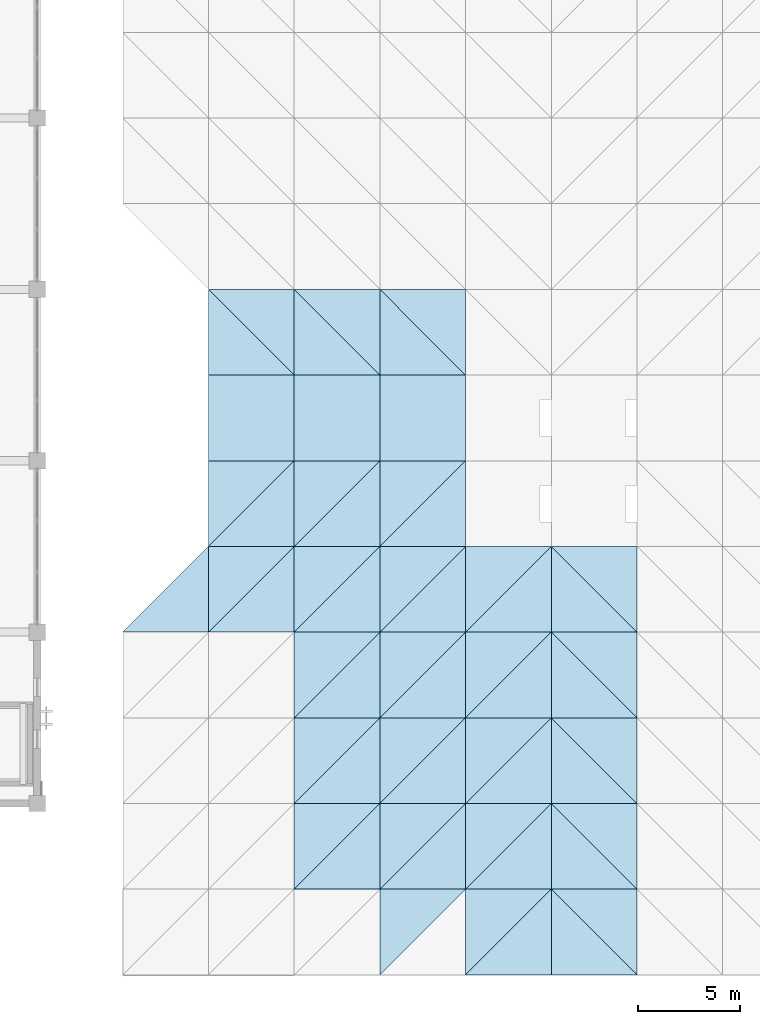
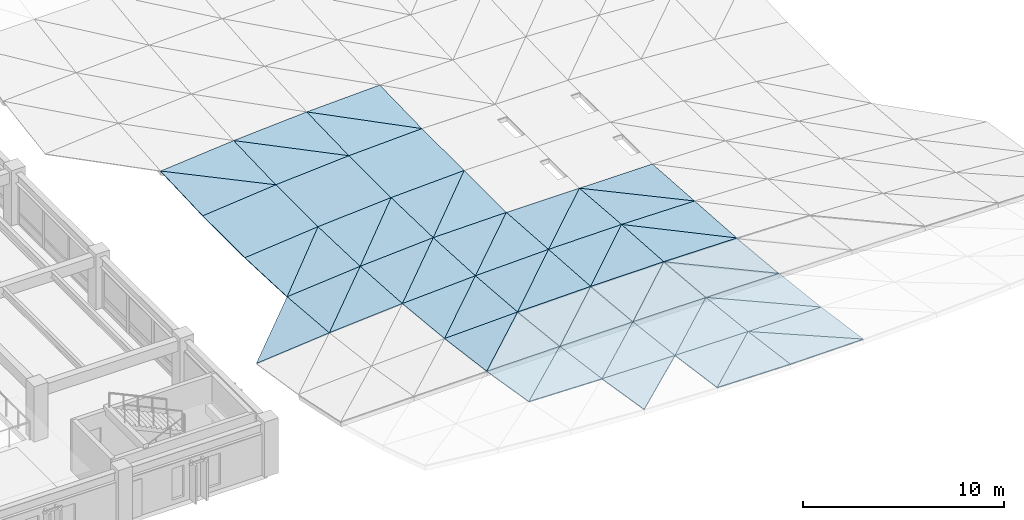
# One storey, part 98 of 123: 55 roofs.
"""IFC4 building model written with IfcOpenShell, lengths in metres."""

from ifc_helpers import new_model, si_unit, direction, frame, origin, place, context, subcontext, project, spatial, polyline, outline, extrude, material, layer, layer_set, type_object, element, save


model = new_model("IFC4")

# Units and contexts
model_context = context("Model", 3, precision=1e-05, world=origin(), true_north=direction((0.0, 1.0)))
body_context = subcontext(model_context, "Body", "Model", "MODEL_VIEW")
ifc_project = project(units=[si_unit("LENGTHUNIT", "METRE"), si_unit("AREAUNIT", "SQUARE_METRE"), si_unit("VOLUMEUNIT", "CUBIC_METRE"), si_unit("PLANEANGLEUNIT", "RADIAN"), si_unit("MASSUNIT", "GRAM", prefix="KILO")], contexts=[model_context])

# Site, building, storey
site_placement = place(None, origin())
site = spatial("IfcSite", under=ifc_project, at=site_placement, CompositionType="ELEMENT")
building_placement = place(site_placement, origin())
building = spatial("IfcBuilding", under=site, at=building_placement, Name="Cumbredor Promenade Congress Hotel", CompositionType="ELEMENT")
storey_placement = place(building_placement, frame((0.0, 0.0, 11.760009765625)))
storey = spatial("IfcBuildingStorey", under=building, at=storey_placement, Name="L03", CompositionType="ELEMENT", Elevation=11.760009765625)

# Roofs
ifc_material = material(Name="Standing-seam zinc-aluminium roofing", Category="aluminium")
ifc_layer = layer(ifc_material, 0.050048828125, Name="Standing-seam zinc-aluminium roofing", Category="aluminium")
ifc_layer_set = layer_set([ifc_layer], Name="Standing-seam zinc-aluminium roofing")
roof_type = type_object("IfcRoofType", Name="Sweeping Pavilion Standing-Seam Roof Skin 50mm", PredefinedType="FREEFORM", material=ifc_layer_set)
roof_1_placement = place(storey_placement, frame((71.39990234375, 16.800048828125, -0.0146484375), z_axis=(-0.093594366401, 0.083392064634, 0.992111817354), x_axis=(0.995579604811, 0.0, 0.093921512358)))
element("IfcRoof", 1, at=roof_1_placement, inside=storey, type_object=roof_type, Name="Thermal Spa and Hydrotherapy Pavilion Standing-Seam Roof Skin 1.5.1", PredefinedType="FREEFORM", context=body_context, shape_type="SweptSolid", body=[
    extrude(outline(polyline([(0.0, 0.0), (4.218844271418955, 0.0), (4.18568740939019, 4.214631511065917), (0.0, 0.0)])), origin(), (0.0, 0.0, -1.0), 0.050048828125),
])
roof_2_placement = place(storey_placement, frame((75.60009765625, 16.800048828125, 0.381591796875), z_axis=(-0.072999794171, 0.066694740633, 0.995099412935), x_axis=(0.997320018789, 0.0, 0.073162696257)))
element("IfcRoof", 2, at=roof_2_placement, inside=storey, type_object=roof_type, Name="Thermal Spa and Hydrotherapy Pavilion Standing-Seam Roof Skin 2.5.1", PredefinedType="FREEFORM", context=body_context, shape_type="SweptSolid", body=[
    extrude(outline(polyline([(0.0, 0.0), (4.211237208470671, 0.0), (4.1906423381619655, 4.209323538130249), (0.0, 0.0)])), origin(), (0.0, 0.0, -1.0), 0.050048828125),
])
roof_3_placement = place(storey_placement, frame((75.60009765625, 16.800048828125, 0.381591796875), z_axis=(-0.089710388059, 0.08342200716, 0.992468042304), x_axis=(0.707099684378, 0.707099684378, 0.004480257257)))
element("IfcRoof", 3, at=roof_3_placement, inside=storey, type_object=roof_type, Name="Thermal Spa and Hydrotherapy Pavilion Standing-Seam Roof Skin 2.5.2", PredefinedType="FREEFORM", context=body_context, shape_type="SweptSolid", body=[
    extrude(outline(polyline([(0.0, 0.0), (5.939687521667529, -1.739060284666749e-16), (2.9682024947169268, 2.992322192198825), (0.0, 0.0)])), origin(), (0.0, 0.0, -1.0), 0.050048828125),
])
roof_4_placement = place(storey_placement, frame((75.60009765625, 21.0, 0.028564453125), z_axis=(-0.089974173033, 0.033328053805, 0.995386301401), x_axis=(0.995939579594, 0.0, 0.090024184518)))
element("IfcRoof", 4, at=roof_4_placement, inside=storey, type_object=roof_type, Name="Thermal Spa and Hydrotherapy Pavilion Standing-Seam Roof Skin 2.6.1", PredefinedType="FREEFORM", context=body_context, shape_type="SweptSolid", body=[
    extrude(outline(polyline([(0.0, 0.0), (4.21707426627955, 1.734723475976807e-18), (4.204414615331661, 4.202285684005439), (0.0, 0.0)])), origin(), (0.0, 0.0, -1.0), 0.050048828125),
])
roof_5_placement = place(storey_placement, frame((75.60009765625, 21.0, 0.028564453125), z_axis=(-0.098369549328, 0.041786829709, 0.994272242712), x_axis=(0.706534966945, 0.706534966945, 0.040207971438)))
element("IfcRoof", 5, at=roof_5_placement, inside=storey, type_object=roof_type, Name="Thermal Spa and Hydrotherapy Pavilion Standing-Seam Roof Skin 2.6.2", PredefinedType="FREEFORM", context=body_context, shape_type="SweptSolid", body=[
    extrude(outline(polyline([(0.0, 0.0), (5.9444349796773395, -5.204170427930421e-16), (2.960315105715628, 2.984506893502652), (0.0, 0.0)])), origin(), (0.0, 0.0, -1.0), 0.050048828125),
])
roof_6_placement = place(storey_placement, frame((75.60009765625, 25.199951171875, -0.14794921875), z_axis=(-0.098455545426, 0.0, 0.995141450034), x_axis=(0.995141450034, 0.0, 0.098455545426)))
element("IfcRoof", 6, at=roof_6_placement, inside=storey, type_object=roof_type, Name="Thermal Spa and Hydrotherapy Pavilion Standing-Seam Roof Skin 2.7", PredefinedType="FREEFORM", context=body_context, shape_type="SweptSolid", body=[
    extrude(outline(polyline([(0.0, 0.0), (4.220456470518103, 0.0), (4.220456470518103, 4.199951171875), (0.0, 4.199951171875), (0.0, 0.0)])), origin(), (0.0, 0.0, -1.0), 0.050048828125),
])
roof_7_placement = place(storey_placement, frame((75.60009765625, 29.39990234375, -0.14794921875), z_axis=(-0.098369559312, -0.041784405048, 0.994272343624), x_axis=(0.995141450034, 0.0, 0.098455545426)))
element("IfcRoof", 7, at=roof_7_placement, inside=storey, type_object=roof_type, Name="Thermal Spa and Hydrotherapy Pavilion Standing-Seam Roof Skin 2.8.1", PredefinedType="FREEFORM", context=body_context, shape_type="SweptSolid", body=[
    extrude(outline(polyline([(0.0, 0.0), (4.220456470518103, 0.0), (0.01737874983953427, 4.203866757945569), (0.0, 0.0)])), origin(), (0.0, 0.0, -1.0), 0.050048828125),
])
roof_8_placement = place(storey_placement, frame((79.800048828125, 29.39990234375, 0.267578125), z_axis=(-0.089974178841, -0.03332611873, 0.995386365665), x_axis=(0.0, 0.999439995942, 0.033461836646)))
element("IfcRoof", 8, at=roof_8_placement, inside=storey, type_object=roof_type, Name="Thermal Spa and Hydrotherapy Pavilion Standing-Seam Roof Skin 2.8.2", PredefinedType="FREEFORM", context=body_context, shape_type="SweptSolid", body=[
    extrude(outline(polyline([(0.0, 0.0), (4.202548756858387, -1.734723475976807e-18), (4.189845349635497, 4.217055132525793), (0.0, 0.0)])), origin(), (0.0, 0.0, -1.0), 0.050048828125),
])
roof_9_placement = place(storey_placement, frame((79.800048828125, 4.199951171875, 2.3779296875), z_axis=(0.020440500208, 0.135770984479, 0.990529366412), x_axis=(0.99978714706, 0.0, -0.020631543173)))
element("IfcRoof", 9, at=roof_9_placement, inside=storey, type_object=roof_type, Name="Thermal Spa and Hydrotherapy Pavilion Standing-Seam Roof Skin 3.2.1", PredefinedType="FREEFORM", context=body_context, shape_type="SweptSolid", body=[
    extrude(outline(polyline([(0.0, 0.0), (4.20084533415502, -1.734723475976807e-18), (4.2127225750735, 4.239205158681903), (0.0, 0.0)])), origin(), (0.0, 0.0, -1.0), 0.050048828125),
])
roof_10_placement = place(storey_placement, frame((79.800048828125, 4.199951171875, 2.3779296875), z_axis=(-0.009688390753, 0.165218592604, 0.986209385345), x_axis=(0.702750773455, 0.702750773455, -0.11082734688)))
element("IfcRoof", 10, at=roof_10_placement, inside=storey, type_object=roof_type, Name="Thermal Spa and Hydrotherapy Pavilion Standing-Seam Roof Skin 3.2.2", PredefinedType="FREEFORM", context=body_context, shape_type="SweptSolid", body=[
    extrude(outline(polyline([(0.0, 0.0), (5.976444751851152, -3.469446951953614e-16), (3.0294985276995168, 2.9927913669937034), (0.0, 0.0)])), origin(), (0.0, 0.0, -1.0), 0.050048828125),
])
roof_11_placement = place(storey_placement, frame((79.800048828125, 8.39990234375, 1.67431640625), z_axis=(-0.009764898552, 0.108967622398, 0.993997336025), x_axis=(0.999951749302, 0.0, 0.009823393922)))
element("IfcRoof", 11, at=roof_11_placement, inside=storey, type_object=roof_type, Name="Thermal Spa and Hydrotherapy Pavilion Standing-Seam Roof Skin 3.3.1", PredefinedType="FREEFORM", context=body_context, shape_type="SweptSolid", body=[
    extrude(outline(polyline([(0.0, 0.0), (4.200153832229674, 0.0), (4.195630658173034, 4.225356042641958), (0.0, 0.0)])), origin(), (0.0, 0.0, -1.0), 0.050048828125),
])
roof_12_placement = place(storey_placement, frame((79.800048828125, 8.39990234375, 1.67431640625), z_axis=(-0.03385795146, 0.132717758183, 0.990575406411), x_axis=(0.705331942102, 0.705372942622, -0.070397892495)))
element("IfcRoof", 12, at=roof_12_placement, inside=storey, type_object=roof_type, Name="Thermal Spa and Hydrotherapy Pavilion Standing-Seam Roof Skin 3.3.2", PredefinedType="FREEFORM", context=body_context, shape_type="SweptSolid", body=[
    extrude(outline(polyline([(0.0, 0.0), (5.954573898012552, 6.938893903907228e-18), (3.0023201286781953, 2.9907182207437217), (0.0, 0.0)])), origin(), (0.0, 0.0, -1.0), 0.050048828125),
])
roof_13_placement = place(storey_placement, frame((79.800048828125, 12.60009765625, 1.111572265625), z_axis=(-0.034045457996, 0.08187122042, 0.996061248145), x_axis=(0.999416372229, 0.0, 0.034160136422)))
element("IfcRoof", 13, at=roof_13_placement, inside=storey, type_object=roof_type, Name="Thermal Spa and Hydrotherapy Pavilion Standing-Seam Roof Skin 3.4.1", PredefinedType="FREEFORM", context=body_context, shape_type="SweptSolid", body=[
    extrude(outline(polyline([(0.0, 0.0), (4.202403811443803, 0.0), (4.190611225286342, 4.214098251036779), (0.0, 0.0)])), origin(), (0.0, 0.0, -1.0), 0.050048828125),
])
roof_14_placement = place(storey_placement, frame((79.800048828125, 12.60009765625, 1.111572265625), z_axis=(-0.052099332578, 0.099808920947, 0.993641705468), x_axis=(0.7066995871, 0.7066995871, -0.033932096666)))
element("IfcRoof", 14, at=roof_14_placement, inside=storey, type_object=roof_type, Name="Thermal Spa and Hydrotherapy Pavilion Standing-Seam Roof Skin 3.4.2", PredefinedType="FREEFORM", context=body_context, shape_type="SweptSolid", body=[
    extrude(outline(polyline([(0.0, 0.0), (5.943050269927653, 2.0816681711721685e-17), (2.982418862287013, 2.987096598979321), (0.0, 0.0)])), origin(), (0.0, 0.0, -1.0), 0.050048828125),
])
roof_15_placement = place(storey_placement, frame((79.800048828125, 16.800048828125, 0.689697265625), z_axis=(-0.052282348828, 0.054716781922, 0.997132202758), x_axis=(0.998628232976, 0.0, 0.052360789754)))
element("IfcRoof", 15, at=roof_15_placement, inside=storey, type_object=roof_type, Name="Thermal Spa and Hydrotherapy Pavilion Standing-Seam Roof Skin 3.5.1", PredefinedType="FREEFORM", context=body_context, shape_type="SweptSolid", body=[
    extrude(outline(polyline([(0.0, 0.0), (4.2057204404884105, -1.734723475976807e-18), (4.193652914724711, 4.206252496662877), (0.0, 0.0)])), origin(), (0.0, 0.0, -1.0), 0.050048828125),
])
roof_16_placement = place(storey_placement, frame((79.800048828125, 16.800048828125, 0.689697265625), z_axis=(-0.064303830401, 0.066734758283, 0.995696484594), x_axis=(0.707105727493, 0.707105727493, -0.001726352413)))
element("IfcRoof", 16, at=roof_16_placement, inside=storey, type_object=roof_type, Name="Thermal Spa and Hydrotherapy Pavilion Standing-Seam Roof Skin 3.5.2", PredefinedType="FREEFORM", context=body_context, shape_type="SweptSolid", body=[
    extrude(outline(polyline([(0.0, 0.0), (5.93963675950489, 1.8604909279851256e-16), (2.9702954869133613, 2.9826453892077933), (0.0, 0.0)])), origin(), (0.0, 0.0, -1.0), 0.050048828125),
])
roof_17_placement = place(storey_placement, frame((79.800048828125, 21.0, 0.408203125), z_axis=(-0.064423458559, 0.027311835267, 0.99754883672), x_axis=(0.997921098963, 0.0, 0.06444749991)))
element("IfcRoof", 17, at=roof_17_placement, inside=storey, type_object=roof_type, Name="Thermal Spa and Hydrotherapy Pavilion Standing-Seam Roof Skin 3.6.1", PredefinedType="FREEFORM", context=body_context, shape_type="SweptSolid", body=[
    extrude(outline(polyline([(0.0, 0.0), (4.208700644008552, -8.673617379884035e-19), (4.201289810889044, 4.201518496887556), (0.0, 0.0)])), origin(), (0.0, 0.0, -1.0), 0.050048828125),
])
roof_18_placement = place(storey_placement, frame((79.800048828125, 21.0, 0.408203125), z_axis=(-0.07047012381, 0.033380584963, 0.996955213737), x_axis=(0.706862240434, 0.706862240434, 0.026297264075)))
element("IfcRoof", 18, at=roof_18_placement, inside=storey, type_object=roof_type, Name="Thermal Spa and Hydrotherapy Pavilion Standing-Seam Roof Skin 3.6.2", PredefinedType="FREEFORM", context=body_context, shape_type="SweptSolid", body=[
    extrude(outline(polyline([(0.0, 0.0), (5.941682737639932, 5.741934705483231e-16), (2.9650888423036186, 2.9778538234785423), (0.0, 0.0)])), origin(), (0.0, 0.0, -1.0), 0.050048828125),
])
roof_19_placement = place(storey_placement, frame((79.800048828125, 25.199951171875, 0.267578125), z_axis=(-0.070509417793, 0.0, 0.997511113724), x_axis=(0.997511113724, 0.0, 0.070509417793)))
element("IfcRoof", 19, at=roof_19_placement, inside=storey, type_object=roof_type, Name="Thermal Spa and Hydrotherapy Pavilion Standing-Seam Roof Skin 3.7", PredefinedType="FREEFORM", context=body_context, shape_type="SweptSolid", body=[
    extrude(outline(polyline([(0.0, 0.0), (4.2104304544499, 0.0), (4.2104304544499, 4.199951171875001), (0.0, 4.199951171875001), (0.0, 0.0)])), origin(), (0.0, 0.0, -1.0), 0.050048828125),
])
roof_20_placement = place(storey_placement, frame((79.800048828125, 29.39990234375, 0.267578125), z_axis=(-0.070470128374, -0.033378646844, 0.996955278306), x_axis=(0.997511113724, 0.0, 0.070509417793)))
element("IfcRoof", 20, at=roof_20_placement, inside=storey, type_object=roof_type, Name="Thermal Spa and Hydrotherapy Pavilion Standing-Seam Roof Skin 3.8.1", PredefinedType="FREEFORM", context=body_context, shape_type="SweptSolid", body=[
    extrude(outline(polyline([(0.0, 0.0), (4.2104304544499, 1.734723475976807e-18), (0.009915386877101254, 4.202537059786035), (0.0, 0.0)])), origin(), (0.0, 0.0, -1.0), 0.050048828125),
])
roof_21_placement = place(storey_placement, frame((84.0, 29.39990234375, 0.564453125), z_axis=(-0.064423461353, -0.027310248923, 0.997548879971), x_axis=(0.0, 0.999625450777, 0.027367099937)))
element("IfcRoof", 21, at=roof_21_placement, inside=storey, type_object=roof_type, Name="Thermal Spa and Hydrotherapy Pavilion Standing-Seam Roof Skin 3.8.2", PredefinedType="FREEFORM", context=body_context, shape_type="SweptSolid", body=[
    extrude(outline(polyline([(0.0, 0.0), (4.201769081845002, 0.0), (4.19434602324393, 4.2086940978264265), (0.0, 0.0)])), origin(), (0.0, 0.0, -1.0), 0.050048828125),
])
roof_22_placement = place(storey_placement, frame((84.0, 0.0, 2.98193359375), z_axis=(0.012216552211, 0.162256461051, 0.986672993802), x_axis=(0.701643183062, 0.701643183062, -0.124071299359)))
element("IfcRoof", 22, at=roof_22_placement, inside=storey, type_object=roof_type, Name="Thermal Spa and Hydrotherapy Pavilion Standing-Seam Roof Skin 4.1.2", PredefinedType="FREEFORM", context=body_context, shape_type="SweptSolid", body=[
    extrude(outline(polyline([(0.0, 0.0), (5.985878967062704, -3.0531133177191805e-16), (3.0325599082290453, 2.986670485003806), (0.0, 0.0)])), origin(), (0.0, 0.0, -1.0), 0.050048828125),
])
roof_23_placement = place(storey_placement, frame((84.0, 4.199951171875, 2.291259765625), z_axis=(0.012294149294, 0.117977658011, 0.992940142256), x_axis=(0.999923357281, 0.0, -0.012380612399)))
element("IfcRoof", 23, at=roof_23_placement, inside=storey, type_object=roof_type, Name="Thermal Spa and Hydrotherapy Pavilion Standing-Seam Roof Skin 4.2.1", PredefinedType="FREEFORM", context=body_context, shape_type="SweptSolid", body=[
    extrude(outline(polyline([(0.0, 0.0), (4.200273092224242, 0.0), (4.206451307981973, 4.229488865922046), (0.0, 0.0)])), origin(), (0.0, 0.0, -1.0), 0.050048828125),
])
roof_24_placement = place(storey_placement, frame((84.0, 4.199951171875, 2.291259765625), z_axis=(-0.005816583131, 0.135797059638, 0.990719600066), x_axis=(0.704083438031, 0.704083438031, -0.092374371891)))
element("IfcRoof", 24, at=roof_24_placement, inside=storey, type_object=roof_type, Name="Thermal Spa and Hydrotherapy Pavilion Standing-Seam Roof Skin 4.2.2", PredefinedType="FREEFORM", context=body_context, shape_type="SweptSolid", body=[
    extrude(outline(polyline([(0.0, 0.0), (5.965132745663068, -2.0122792321330962e-16), (3.0102944710345514, 2.984816350113674), (0.0, 0.0)])), origin(), (0.0, 0.0, -1.0), 0.050048828125),
])
roof_25_placement = place(storey_placement, frame((84.0, 8.39990234375, 1.715576171875), z_axis=(-0.005844666112, 0.094550785274, 0.995502882408), x_axis=(0.99998276572, 0.0, 0.005870967816)))
element("IfcRoof", 25, at=roof_25_placement, inside=storey, type_object=roof_type, Name="Thermal Spa and Hydrotherapy Pavilion Standing-Seam Roof Skin 4.3.1", PredefinedType="FREEFORM", context=body_context, shape_type="SweptSolid", body=[
    extrude(outline(polyline([(0.0, 0.0), (4.20002355625722, 0.0), (4.19768147583455, 4.219096699146891), (0.0, 0.0)])), origin(), (0.0, 0.0, -1.0), 0.050048828125),
])
roof_26_placement = place(storey_placement, frame((84.0, 8.39990234375, 1.715576171875), z_axis=(-0.020393234648, 0.108950155595, 0.993838004695), x_axis=(0.705686731842, 0.705727752985, -0.062885413004)))
element("IfcRoof", 26, at=roof_26_placement, inside=storey, type_object=roof_type, Name="Thermal Spa and Hydrotherapy Pavilion Standing-Seam Roof Skin 4.3.2", PredefinedType="FREEFORM", context=body_context, shape_type="SweptSolid", body=[
    extrude(outline(polyline([(0.0, 0.0), (5.951580187590243, -7.632783294297951e-17), (2.9931499392787058, 2.9823996357279716), (0.0, 0.0)])), origin(), (0.0, 0.0, -1.0), 0.050048828125),
])
roof_27_placement = place(storey_placement, frame((84.0, 12.60009765625, 1.255126953125), z_axis=(-0.020463395145, 0.071129138365, 0.997257186053), x_axis=(0.999789537892, 0.0, 0.020515358186)))
element("IfcRoof", 27, at=roof_27_placement, inside=storey, type_object=roof_type, Name="Thermal Spa and Hydrotherapy Pavilion Standing-Seam Roof Skin 4.4.1", PredefinedType="FREEFORM", context=body_context, shape_type="SweptSolid", body=[
    extrude(outline(polyline([(0.0, 0.0), (4.200835288524772, 0.0), (4.1946896966072, 4.210616178076342), (0.0, 0.0)])), origin(), (0.0, 0.0, -1.0), 0.050048828125),
])
roof_28_placement = place(storey_placement, frame((84.0, 12.60009765625, 1.255126953125), z_axis=(-0.031269074977, 0.081878651885, 0.996151660801), x_axis=(0.706650933896, 0.706650933896, -0.035901465804)))
element("IfcRoof", 28, at=roof_28_placement, inside=storey, type_object=roof_type, Name="Thermal Spa and Hydrotherapy Pavilion Standing-Seam Roof Skin 4.4.2", PredefinedType="FREEFORM", context=body_context, shape_type="SweptSolid", body=[
    extrude(outline(polyline([(0.0, 0.0), (5.943459451354978, -3.2612801348363973e-16), (2.980293136832387, 2.979365025140306), (0.0, 0.0)])), origin(), (0.0, 0.0, -1.0), 0.050048828125),
])
roof_29_placement = place(storey_placement, frame((84.0, 16.800048828125, 0.909912109375), z_axis=(-0.031295126423, 0.071051527769, 0.99698159234), x_axis=(0.999507701685, 0.0, 0.031374420677)))
element("IfcRoof", 29, at=roof_29_placement, inside=storey, type_object=roof_type, Name="Thermal Spa and Hydrotherapy Pavilion Standing-Seam Roof Skin 4.5.1", PredefinedType="FREEFORM", context=body_context, shape_type="SweptSolid", body=[
    extrude(outline(polyline([(0.0, 0.0), (4.202019819152533, 1.734723475976807e-18), (4.19262894030726, 4.210592828638161), (0.0, 0.0)])), origin(), (0.0, 0.0, -1.0), 0.050048828125),
])
roof_30_placement = place(storey_placement, frame((84.0, 16.800048828125, 0.909912109375), z_axis=(-0.014973176444, 0.054785575826, 0.998385869626), x_axis=(0.706825846099, 0.706825846099, -0.028185928642)))
element("IfcRoof", 30, at=roof_30_placement, inside=storey, type_object=roof_type, Name="Thermal Spa and Hydrotherapy Pavilion Standing-Seam Roof Skin 4.5.2", PredefinedType="FREEFORM", context=body_context, shape_type="SweptSolid", body=[
    extrude(outline(polyline([(0.0, 0.0), (5.94198867380956, -3.885780586188048e-16), (2.9751300163758945, 2.973433550042765), (0.0, 0.0)])), origin(), (0.0, 0.0, -1.0), 0.050048828125),
])
roof_31_placement = place(storey_placement, frame((84.0, 21.0, 0.679443359375), z_axis=(-0.014995697844, 0.0, 0.999887558202), x_axis=(0.999887558202, 0.0, 0.014995697844)))
element("IfcRoof", 31, at=roof_31_placement, inside=storey, type_object=roof_type, Name="Thermal Spa and Hydrotherapy Pavilion Standing-Seam Roof Skin 4.6.1", PredefinedType="FREEFORM", context=body_context, shape_type="SweptSolid", body=[
    extrude(outline(polyline([(0.0, 0.0), (4.200423475044988, 0.0), (4.200423475044988, 4.199951171875001), (0.0, 0.0)])), origin(), (0.0, 0.0, -1.0), 0.050048828125),
])
roof_32_placement = place(storey_placement, frame((84.0, 21.0, 0.679443359375), z_axis=(-0.042322500942, 0.027344167275, 0.99872974444), x_axis=(0.707067023655, 0.707067023655, 0.010604155793)))
element("IfcRoof", 32, at=roof_32_placement, inside=storey, type_object=roof_type, Name="Thermal Spa and Hydrotherapy Pavilion Standing-Seam Roof Skin 4.6.2", PredefinedType="FREEFORM", context=body_context, shape_type="SweptSolid", body=[
    extrude(outline(polyline([(0.0, 0.0), (5.939961886733214, -5.681219383824043e-17), (2.9684276002329013, 2.973423982938078), (0.0, 0.0)])), origin(), (0.0, 0.0, -1.0), 0.050048828125),
])
roof_33_placement = place(storey_placement, frame((84.0, 25.199951171875, 0.564453125), z_axis=(-0.042338332161, 0.0, 0.999103330807), x_axis=(0.999103330807, 0.0, 0.042338332161)))
element("IfcRoof", 33, at=roof_33_placement, inside=storey, type_object=roof_type, Name="Thermal Spa and Hydrotherapy Pavilion Standing-Seam Roof Skin 4.7", PredefinedType="FREEFORM", context=body_context, shape_type="SweptSolid", body=[
    extrude(outline(polyline([(0.0, 0.0), (4.203720518559513, 0.0), (4.203720518559513, 4.199951171875), (0.0, 4.199951171875), (0.0, 0.0)])), origin(), (0.0, 0.0, -1.0), 0.050048828125),
])
roof_34_placement = place(storey_placement, frame((84.0, 29.39990234375, 0.564453125), z_axis=(-0.042322502781, -0.027342579056, 0.998729787845), x_axis=(0.999103330807, 0.0, 0.042338332161)))
element("IfcRoof", 34, at=roof_34_placement, inside=storey, type_object=roof_type, Name="Thermal Spa and Hydrotherapy Pavilion Standing-Seam Roof Skin 4.8.1", PredefinedType="FREEFORM", context=body_context, shape_type="SweptSolid", body=[
    extrude(outline(polyline([(0.0, 0.0), (4.203720518559513, 0.0), (0.004868494738191195, 4.201766261336721), (0.0, 0.0)])), origin(), (0.0, 0.0, -1.0), 0.050048828125),
])
roof_35_placement = place(storey_placement, frame((88.199951171875, 29.39990234375, 0.742431640625), z_axis=(-0.038732269521, -0.023748991651, 0.998967365179), x_axis=(0.0, 0.999717529103, 0.023766825704)))
element("IfcRoof", 35, at=roof_35_placement, inside=storey, type_object=roof_type, Name="Thermal Spa and Hydrotherapy Pavilion Standing-Seam Roof Skin 4.8.2", PredefinedType="FREEFORM", context=body_context, shape_type="SweptSolid", body=[
    extrude(outline(polyline([(0.0, 0.0), (4.2013820806646045, -8.673617379884035e-19), (4.197511848061031, 4.203105080561661), (0.0, 0.0)])), origin(), (0.0, 0.0, -1.0), 0.050048828125),
])
roof_36_placement = place(storey_placement, frame((88.199951171875, 0.0, 2.837890625), z_axis=(0.011289817721, 0.134037784877, 0.990911909425), x_axis=(0.999935101974, 0.0, -0.011392622216)))
element("IfcRoof", 36, at=roof_36_placement, inside=storey, type_object=roof_type, Name="Thermal Spa and Hydrotherapy Pavilion Standing-Seam Roof Skin 5.1.1", PredefinedType="FREEFORM", context=body_context, shape_type="SweptSolid", body=[
    extrude(outline(polyline([(0.0, 0.0), (4.200223758107165, -8.673617379884035e-19), (4.206696080347718, 4.2381957098166145), (0.0, 0.0)])), origin(), (0.0, 0.0, -1.0), 0.050048828125),
])
roof_37_placement = place(storey_placement, frame((88.199951171875, 0.0, 2.837890625), z_axis=(0.004085857745, 0.141105960433, 0.989986067426), x_axis=(0.703334836891, 0.703334836891, -0.103151415072)))
element("IfcRoof", 37, at=roof_37_placement, inside=storey, type_object=roof_type, Name="Thermal Spa and Hydrotherapy Pavilion Standing-Seam Roof Skin 5.1.2", PredefinedType="FREEFORM", context=body_context, shape_type="SweptSolid", body=[
    extrude(outline(polyline([(0.0, 0.0), (5.971481791575758, 1.0408340855860843e-16), (3.0157217941381407, 2.983852065819631), (0.0, 0.0)])), origin(), (0.0, 0.0, -1.0), 0.050048828125),
])
roof_38_placement = place(storey_placement, frame((88.199951171875, 4.199951171875, 2.2392578125), z_axis=(0.004101183505, 0.112002743884, 0.993699434264), x_axis=(0.999991483272, 0.0, -0.004127151968)))
element("IfcRoof", 38, at=roof_38_placement, inside=storey, type_object=roof_type, Name="Thermal Spa and Hydrotherapy Pavilion Standing-Seam Roof Skin 5.2.1", PredefinedType="FREEFORM", context=body_context, shape_type="SweptSolid", body=[
    extrude(outline(polyline([(0.0, 0.0), (4.199986942021189, 0.0), (4.201940689010134, 4.226545026811671), (0.0, 0.0)])), origin(), (0.0, 0.0, -1.0), 0.050048828125),
])
roof_39_placement = place(storey_placement, frame((88.199951171875, 4.199951171875, 2.2392578125), z_axis=(-0.001962590911, 0.117986347726, 0.99301327785), x_axis=(0.704705780047, 0.704705780047, -0.082337883968)))
element("IfcRoof", 39, at=roof_39_placement, inside=storey, type_object=roof_type, Name="Thermal Spa and Hydrotherapy Pavilion Standing-Seam Roof Skin 5.2.2", PredefinedType="FREEFORM", context=body_context, shape_type="SweptSolid", body=[
    extrude(outline(polyline([(0.0, 0.0), (5.959864798602854, 1.3877787807814457e-17), (3.0008184006301244, 2.980554170577707), (0.0, 0.0)])), origin(), (0.0, 0.0, -1.0), 0.050048828125),
])
roof_40_placement = place(storey_placement, frame((88.199951171875, 8.39990234375, 1.740234375), z_axis=(-0.001968412545, 0.089789129364, 0.995958853367), x_axis=(0.999998046928, 0.0, 0.001976395605)))
element("IfcRoof", 40, at=roof_40_placement, inside=storey, type_object=roof_type, Name="Thermal Spa and Hydrotherapy Pavilion Standing-Seam Roof Skin 5.3.1", PredefinedType="FREEFORM", context=body_context, shape_type="SweptSolid", body=[
    extrude(outline(polyline([(0.0, 0.0), (4.199959374696801, 0.0), (4.199210988567993, 4.217229552222821), (0.0, 0.0)])), origin(), (0.0, 0.0, -1.0), 0.050048828125),
])
roof_41_placement = place(storey_placement, frame((88.199951171875, 8.39990234375, 1.740234375), z_axis=(-0.006770514272, 0.094550233089, 0.995497068584), x_axis=(0.705715708217, 0.705756731045, -0.062231629911)))
element("IfcRoof", 41, at=roof_41_placement, inside=storey, type_object=roof_type, Name="Thermal Spa and Hydrotherapy Pavilion Standing-Seam Roof Skin 5.3.2", PredefinedType="FREEFORM", context=body_context, shape_type="SweptSolid", body=[
    extrude(outline(polyline([(0.0, 0.0), (5.951335818339584, -5.863365348801608e-16), (2.989141915079706, 2.9775515198912226), (0.0, 0.0)])), origin(), (0.0, 0.0, -1.0), 0.050048828125),
])
roof_42_placement = place(storey_placement, frame((88.199951171875, 12.60009765625, 1.34130859375), z_axis=(-0.00678549434, 0.067448973654, 0.997699650706), x_axis=(0.999976873054, 0.0, 0.006800982047)))
element("IfcRoof", 42, at=roof_42_placement, inside=storey, type_object=roof_type, Name="Thermal Spa and Hydrotherapy Pavilion Standing-Seam Roof Skin 5.4.1", PredefinedType="FREEFORM", context=body_context, shape_type="SweptSolid", body=[
    extrude(outline(polyline([(0.0, 0.0), (4.200048306164646, 2.168404344971009e-19), (4.198117265607963, 4.209537446323024), (0.0, 0.0)])), origin(), (0.0, 0.0, -1.0), 0.050048828125),
])
roof_43_placement = place(storey_placement, frame((88.199951171875, 12.60009765625, 1.34130859375), z_axis=(-0.010494182058, 0.071140118148, 0.997411126734), x_axis=(0.706454134093, 0.706454134093, -0.04295477674)))
element("IfcRoof", 43, at=roof_43_placement, inside=storey, type_object=roof_type, Name="Thermal Spa and Hydrotherapy Pavilion Standing-Seam Roof Skin 5.4.2", PredefinedType="FREEFORM", context=body_context, shape_type="SweptSolid", body=[
    extrude(outline(polyline([(0.0, 0.0), (5.945115145040628, 2.7755575615628914e-16), (2.979940424772536, 2.974774181712742), (0.0, 0.0)])), origin(), (0.0, 0.0, -1.0), 0.050048828125),
])
roof_44_placement = place(storey_placement, frame((88.199951171875, 16.800048828125, 1.041748046875), z_axis=(-0.010485829333, 0.081511391556, 0.996617248712), x_axis=(0.999944654448, 0.0, 0.010520838369)))
element("IfcRoof", 44, at=roof_44_placement, inside=storey, type_object=roof_type, Name="Thermal Spa and Hydrotherapy Pavilion Standing-Seam Roof Skin 5.5.1", PredefinedType="FREEFORM", context=body_context, shape_type="SweptSolid", body=[
    extrude(outline(polyline([(0.0, 0.0), (4.2001836333548175, 0.0), (4.196569663729663, 4.213973547707994), (0.0, 0.0)])), origin(), (0.0, 0.0, -1.0), 0.050048828125),
])
roof_45_placement = place(storey_placement, frame((88.199951171875, 16.800048828125, 1.041748046875), z_axis=(0.0, 0.071086346745, 0.997470165622), x_axis=(0.706210650444, 0.706210650444, -0.050329259864)))
element("IfcRoof", 45, at=roof_45_placement, inside=storey, type_object=roof_type, Name="Thermal Spa and Hydrotherapy Pavilion Standing-Seam Roof Skin 5.5.2", PredefinedType="FREEFORM", context=body_context, shape_type="SweptSolid", body=[
    extrude(outline(polyline([(0.0, 0.0), (5.947164871038871, -1.9081958235744878e-17), (2.9811146221153293, 2.973572895860262), (0.0, 0.0)])), origin(), (0.0, 0.0, -1.0), 0.050048828125),
])
roof_46_placement = place(storey_placement, frame((92.39990234375, 0.0, 2.7900390625), z_axis=(-0.011289161572, 0.13403778587, 0.990911916767), x_axis=(0.999935109517, 0.0, 0.011391960094)))
element("IfcRoof", 46, at=roof_46_placement, inside=storey, type_object=roof_type, Name="Thermal Spa and Hydrotherapy Pavilion Standing-Seam Roof Skin 6.1.1", PredefinedType="FREEFORM", context=body_context, shape_type="SweptSolid", body=[
    extrude(outline(polyline([(0.0, 0.0), (4.200467882888842, 0.0), (-0.006471946079064182, 4.23819571039105), (0.0, 0.0)])), origin(), (0.0, 0.0, -1.0), 0.050048828125),
])
roof_47_placement = place(storey_placement, frame((96.60009765625, 0.0, 2.837890625), z_axis=(-0.004085620254, 0.14110596057, 0.989986068386), x_axis=(0.0, 0.989994331058, -0.141107138276)))
element("IfcRoof", 47, at=roof_47_placement, inside=storey, type_object=roof_type, Name="Thermal Spa and Hydrotherapy Pavilion Standing-Seam Roof Skin 6.1.2", PredefinedType="FREEFORM", context=body_context, shape_type="SweptSolid", body=[
    extrude(outline(polyline([(0.0, 0.0), (4.242399213927874, -4.336808689942018e-19), (4.244845162857945, 4.200230368383992), (0.0, 0.0)])), origin(), (0.0, 0.0, -1.0), 0.050048828125),
])
roof_48_placement = place(storey_placement, frame((92.39990234375, 4.199951171875, 2.221923828125), z_axis=(-0.004100945123, 0.112002743994, 0.993699435235), x_axis=(0.999991484262, 0.0, 0.004126912078)))
element("IfcRoof", 48, at=roof_48_placement, inside=storey, type_object=roof_type, Name="Thermal Spa and Hydrotherapy Pavilion Standing-Seam Roof Skin 6.2.1", PredefinedType="FREEFORM", context=body_context, shape_type="SweptSolid", body=[
    extrude(outline(polyline([(0.0, 0.0), (4.200231080567031, 0.0), (-0.001953633427348355, 4.226545026864163), (0.0, 0.0)])), origin(), (0.0, 0.0, -1.0), 0.050048828125),
])
roof_49_placement = place(storey_placement, frame((96.60009765625, 4.199951171875, 2.2392578125), z_axis=(0.001962476834, 0.117986347752, 0.993013278073), x_axis=(0.0, 0.993015190282, -0.117986574954)))
element("IfcRoof", 49, at=roof_49_placement, inside=storey, type_object=roof_type, Name="Thermal Spa and Hydrotherapy Pavilion Standing-Seam Roof Skin 6.2.2", PredefinedType="FREEFORM", context=body_context, shape_type="SweptSolid", body=[
    extrude(outline(polyline([(0.0, 0.0), (4.229493378326594, 1.0842021724855044e-19), (4.228513997577463, 4.200203400661649), (0.0, 0.0)])), origin(), (0.0, 0.0, -1.0), 0.050048828125),
])
roof_50_placement = place(storey_placement, frame((92.39990234375, 8.39990234375, 1.74853515625), z_axis=(0.00196829813, 0.089789129384, 0.995958853591), x_axis=(0.999998047155, 0.0, -0.001976280726)))
element("IfcRoof", 50, at=roof_50_placement, inside=storey, type_object=roof_type, Name="Thermal Spa and Hydrotherapy Pavilion Standing-Seam Roof Skin 6.3.1", PredefinedType="FREEFORM", context=body_context, shape_type="SweptSolid", body=[
    extrude(outline(polyline([(0.0, 0.0), (4.200203514845005, 1.0842021724855044e-19), (0.0007483426282741538, 4.217229552230541), (0.0, 0.0)])), origin(), (0.0, 0.0, -1.0), 0.050048828125),
])
roof_51_placement = place(storey_placement, frame((96.60009765625, 8.39990234375, 1.740234375), z_axis=(0.006770120747, 0.094550233341, 0.995497071236), x_axis=(0.0, 0.995519886093, -0.094552400249)))
element("IfcRoof", 51, at=roof_51_placement, inside=storey, type_object=roof_type, Name="Thermal Spa and Hydrotherapy Pavilion Standing-Seam Roof Skin 6.3.2", PredefinedType="FREEFORM", context=body_context, shape_type="SweptSolid", body=[
    extrude(outline(polyline([(0.0, 0.0), (4.219097349207872, 4.336808689942018e-19), (4.216396511603116, 4.200291572808434), (0.0, 0.0)])), origin(), (0.0, 0.0, -1.0), 0.050048828125),
])
roof_52_placement = place(storey_placement, frame((92.39990234375, 12.60009765625, 1.369873046875), z_axis=(0.006785099944, 0.067448973835, 0.997699653376), x_axis=(0.999976875743, 0.0, -0.006800586751)))
element("IfcRoof", 52, at=roof_52_placement, inside=storey, type_object=roof_type, Name="Thermal Spa and Hydrotherapy Pavilion Standing-Seam Roof Skin 6.4.1", PredefinedType="FREEFORM", context=body_context, shape_type="SweptSolid", body=[
    extrude(outline(polyline([(0.0, 0.0), (4.200292441143748, -2.168404344971009e-19), (0.0019309283181776942, 4.20953744637451), (0.0, 0.0)])), origin(), (0.0, 0.0, -1.0), 0.050048828125),
])
roof_53_placement = place(storey_placement, frame((96.60009765625, 12.60009765625, 1.34130859375), z_axis=(0.01049357214, 0.071140118604, 0.997411133119), x_axis=(0.0, 0.997466052646, -0.071144035726)))
element("IfcRoof", 53, at=roof_53_placement, inside=storey, type_object=roof_type, Name="Thermal Spa and Hydrotherapy Pavilion Standing-Seam Roof Skin 6.4.2", PredefinedType="FREEFORM", context=body_context, shape_type="SweptSolid", body=[
    extrude(outline(polyline([(0.0, 0.0), (4.210620662963862, 0.0), (4.20747684693202, 4.200426583971587), (0.0, 0.0)])), origin(), (0.0, 0.0, -1.0), 0.050048828125),
])
roof_54_placement = place(storey_placement, frame((92.39990234375, 16.800048828125, 1.0859375), z_axis=(0.010485219901, 0.081511392077, 0.996617255081), x_axis=(0.999944660882, 0.0, -0.010520226902)))
element("IfcRoof", 54, at=roof_54_placement, inside=storey, type_object=roof_type, Name="Thermal Spa and Hydrotherapy Pavilion Standing-Seam Roof Skin 6.5.1", PredefinedType="FREEFORM", context=body_context, shape_type="SweptSolid", body=[
    extrude(outline(polyline([(0.0, 0.0), (4.200427760468505, 0.0), (0.0036137595827433876, 4.213973547888124), (0.0, 0.0)])), origin(), (0.0, 0.0, -1.0), 0.050048828125),
])
roof_55_placement = place(storey_placement, frame((96.60009765625, 16.800048828125, 1.041748046875), z_axis=(0.0, 0.071086346745, 0.997470165622), x_axis=(0.0, 0.997470165622, -0.071086346745)))
element("IfcRoof", 55, at=roof_55_placement, inside=storey, type_object=roof_type, Name="Thermal Spa and Hydrotherapy Pavilion Standing-Seam Roof Skin 6.5.2", PredefinedType="FREEFORM", context=body_context, shape_type="SweptSolid", body=[
    extrude(outline(polyline([(0.0, 0.0), (4.210603300856612, 0.0), (4.210603300856612, 4.200195312499999), (0.0, 0.0)])), origin(), (0.0, 0.0, -1.0), 0.050048828125),
])

save(model, "model.ifc")
